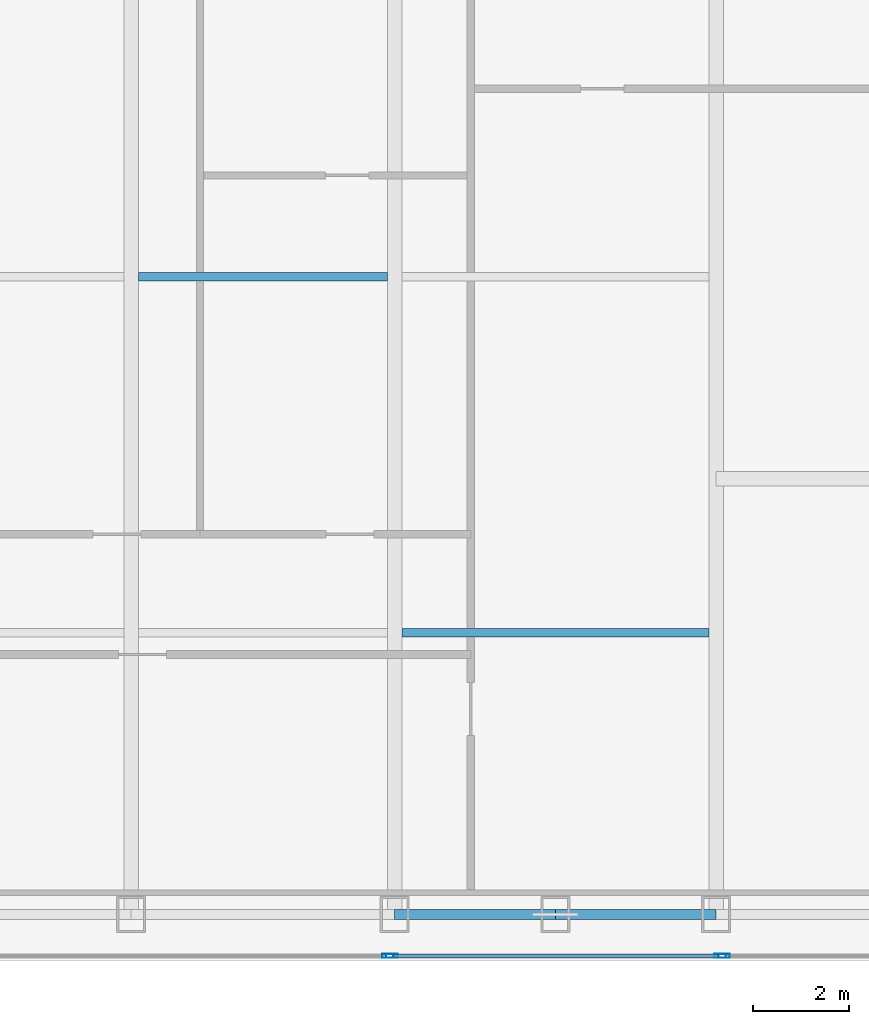
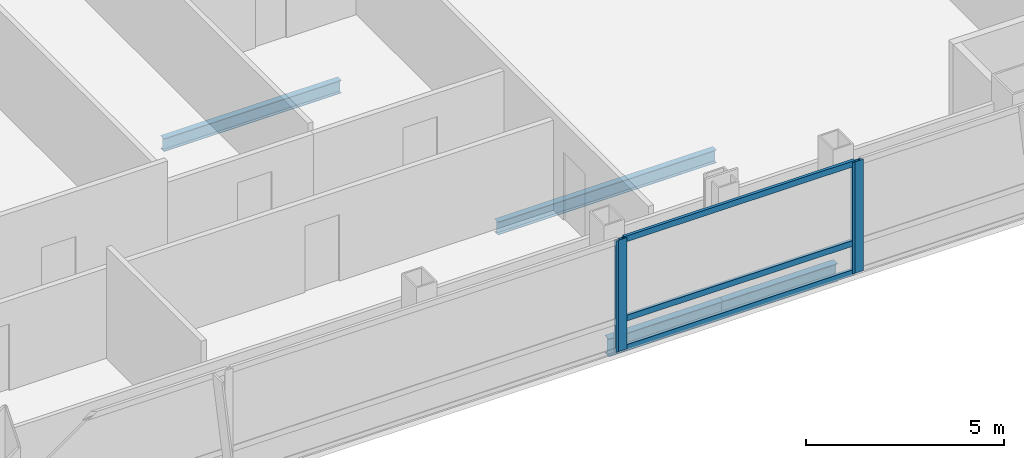
# One storey, part 14 of 30: 7 members, 4 beams, 3 elements without a shape of their own.
"""IFC4 building model written with IfcOpenShell, lengths in metres."""

from ifc_helpers import new_model, si_unit, direction, frame, origin, origin_2d, place, context, subcontext, project, spatial, hollow_rectangle, i_section, extrude, material, material_profile, profile_set, type_object, element, aggregate, save


model = new_model("IFC4")

# Units and contexts
model_context = context("Model", 3, precision=1e-05, world=origin(), true_north=direction((0.0, 1.0)))
body_context = subcontext(model_context, "Body", "Model", "MODEL_VIEW")
ifc_project = project(units=[si_unit("LENGTHUNIT", "METRE"), si_unit("AREAUNIT", "SQUARE_METRE"), si_unit("VOLUMEUNIT", "CUBIC_METRE"), si_unit("PLANEANGLEUNIT", "RADIAN"), si_unit("MASSUNIT", "GRAM", prefix="KILO")], contexts=[model_context])

# Site, building, storey
site_placement = place(None, origin())
site = spatial("IfcSite", under=ifc_project, at=site_placement, CompositionType="ELEMENT")
building_placement = place(site_placement, origin())
building = spatial("IfcBuilding", under=site, at=building_placement, Name="Khoronbel Lancet Exchange", CompositionType="ELEMENT")
storey_placement = place(building_placement, frame((0.0, 0.0, 280.60009765625)))
storey = spatial("IfcBuildingStorey", under=building, at=storey_placement, Name="L72", CompositionType="ELEMENT", Elevation=280.60009765625)

# Beams
ifc_material_1 = material(Name="Steel S355", Category="steel")
ifc_material_profile_1 = material_profile(ifc_material_1, i_section(OverallWidth=0.179931640625, OverallDepth=0.39990234375, WebThickness=0.008544921875, FlangeThickness=0.013427734375, at=origin_2d()), Name="IPE 400")
ifc_profile_set_1 = profile_set([ifc_material_profile_1], Name="Steel S355")
beam_type_1 = type_object("IfcBeamType", Name="BM-BJ5", PredefinedType="JOIST", material=ifc_profile_set_1)
beam_1_placement = place(storey_placement, frame((48.14990234375, 16.0, -0.360107421875), z_axis=(1.0, 0.0, 0.0), x_axis=(0.0, 1.0, 0.0)))
element("IfcBeam", 1, at=beam_1_placement, inside=storey, type_object=beam_type_1, Name="Level L72 secondary composite joist J05", PredefinedType="JOIST", context=body_context, shape_type="SweptSolid", body=[
    extrude(i_section(OverallWidth=0.179931640625, OverallDepth=0.39990234375, WebThickness=0.008544921875, FlangeThickness=0.013427734375, at=origin_2d()), origin(), (0.0, 0.0, 1.0), 6.375),
])
beam_2_placement = place(storey_placement, frame((42.675048828125, 23.39990234375, -0.360107421875), z_axis=(1.0, 0.0, 0.0), x_axis=(0.0, 1.0, 0.0)))
element("IfcBeam", 2, at=beam_2_placement, inside=storey, type_object=beam_type_1, Name="Level L72 secondary composite joist J09", PredefinedType="JOIST", context=body_context, shape_type="SweptSolid", body=[
    extrude(i_section(OverallWidth=0.179931640625, OverallDepth=0.39990234375, WebThickness=0.008544921875, FlangeThickness=0.013427734375, at=origin_2d()), origin(), (0.0, 0.0, 1.0), 5.175048828125),
])
ifc_material_profile_2 = material_profile(ifc_material_1, i_section(OverallWidth=0.2099609375, OverallDepth=0.550048828125, WebThickness=0.010986328125, FlangeThickness=0.01708984375, at=origin_2d()), Name="IPE 550")
ifc_profile_set_2 = profile_set([ifc_material_profile_2], Name="Steel S355")
beam_type_2 = type_object("IfcBeamType", Name="BM-BSP3", PredefinedType="SPANDREL", material=ifc_profile_set_2)
beam_3_placement = place(storey_placement, frame((48.0, 10.14990234375, -0.43505859375), z_axis=(1.0, 0.0, 0.0), x_axis=(0.0, 1.0, 0.0)))
element("IfcBeam", 3, at=beam_3_placement, inside=storey, type_object=beam_type_2, Name="Level L72 perimeter spandrel beam SP07", PredefinedType="SPANDREL", context=body_context, shape_type="SweptSolid", body=[
    extrude(i_section(OverallWidth=0.2099609375, OverallDepth=0.550048828125, WebThickness=0.010986328125, FlangeThickness=0.01708984375, at=origin_2d()), origin(), (0.0, 0.0, 1.0), 3.33740234375),
])
beam_4_placement = place(storey_placement, frame((51.33740234375, 10.14990234375, -0.43505859375), z_axis=(1.0, 0.0, 0.0), x_axis=(0.0, 1.0, 0.0)))
element("IfcBeam", 4, at=beam_4_placement, inside=storey, type_object=beam_type_2, Name="Level L72 perimeter spandrel beam SP08", PredefinedType="SPANDREL", context=body_context, shape_type="SweptSolid", body=[
    extrude(i_section(OverallWidth=0.2099609375, OverallDepth=0.550048828125, WebThickness=0.010986328125, FlangeThickness=0.01708984375, at=origin_2d()), origin(), (0.0, 0.0, 1.0), 3.337646484375),
])

# Curtain wall, member
ifc_material_2 = material(Name="Low-E Solar Control Insulating Glass", Category="glass")
curtain_wall_type = type_object("IfcCurtainWallType", Name="CW-3", PredefinedType="NOTDEFINED", material=ifc_material_2)
curtain_wall_1_placement = place(storey_placement, origin())
curtain_wall_1 = element("IfcCurtainWall", 5, at=curtain_wall_1_placement, inside=storey, type_object=curtain_wall_type, Name="Unitised curtain wall CW-L72-SCV", PredefinedType="NOTDEFINED")
ifc_material_3 = material(Name="Bronze-Anodised Aluminium 6063-T6", Category="aluminium")
ifc_material_profile_3 = material_profile(ifc_material_3, hollow_rectangle(XDim=0.0849609375, YDim=0.239990234375, WallThickness=0.006103515625, at=origin_2d()), Name="ALU MULLION 85x240")
ifc_profile_set_3 = profile_set([ifc_material_profile_3], Name="Bronze-Anodised Aluminium 6063-T6")
member_type_1 = type_object("IfcMemberType", Name="MEM-CWM1", PredefinedType="MULLION", material=ifc_profile_set_3)
member_1_placement = place(storey_placement, frame((47.857421875, 9.2900390625, 0.0), z_axis=(0.0, 0.0, 1.0), x_axis=(0.0, 1.0, 0.0)))
member_1 = element("IfcMember", 6, at=member_1_placement, type_object=member_type_1, Name="CW3 mullion 3", PredefinedType="MULLION", context=body_context, shape_type="SweptSolid", body=[
    extrude(hollow_rectangle(XDim=0.0849609375, YDim=0.239990234375, WallThickness=0.006103515625, at=origin_2d()), origin(), (0.0, 0.0, 1.0), 3.43994140625),
])
aggregate(curtain_wall_1, [member_1])

# Curtain wall, members
curtain_wall_2_placement = place(storey_placement, origin())
curtain_wall_2 = element("IfcCurtainWall", 7, at=curtain_wall_2_placement, inside=storey, type_object=curtain_wall_type, Name="Unitised curtain wall CW-L72-SEB", PredefinedType="NOTDEFINED")
member_2_placement = place(storey_placement, frame((47.9423828125, 9.2900390625, 0.0), z_axis=(0.0, 0.0, 1.0), x_axis=(0.0, 1.0, 0.0)))
member_2 = element("IfcMember", 8, at=member_2_placement, type_object=member_type_1, Name="CW3 mullion 1", PredefinedType="MULLION", context=body_context, shape_type="SweptSolid", body=[
    extrude(hollow_rectangle(XDim=0.0849609375, YDim=0.239990234375, WallThickness=0.006103515625, at=origin_2d()), origin(), (0.0, 0.0, 1.0), 3.43994140625),
])
member_3_placement = place(storey_placement, frame((54.757568359375, 9.2900390625, 0.0), z_axis=(0.0, 0.0, 1.0), x_axis=(0.0, 1.0, 0.0)))
member_3 = element("IfcMember", 9, at=member_3_placement, type_object=member_type_1, Name="CW3 mullion 2", PredefinedType="MULLION", context=body_context, shape_type="SweptSolid", body=[
    extrude(hollow_rectangle(XDim=0.0849609375, YDim=0.239990234375, WallThickness=0.006103515625, at=origin_2d()), origin(), (0.0, 0.0, 1.0), 3.43994140625),
])

# Curtain wall, member
curtain_wall_3_placement = place(storey_placement, origin())
curtain_wall_3 = element("IfcCurtainWall", 10, at=curtain_wall_3_placement, inside=storey, type_object=curtain_wall_type, Name="Unitised curtain wall CW-L72-SEV", PredefinedType="NOTDEFINED")
member_4_placement = place(storey_placement, frame((54.842529296875, 9.2900390625, 0.0), z_axis=(0.0, 0.0, 1.0), x_axis=(0.0, 1.0, 0.0)))
member_4 = element("IfcMember", 11, at=member_4_placement, type_object=member_type_1, Name="CW3 mullion 1", PredefinedType="MULLION", context=body_context, shape_type="SweptSolid", body=[
    extrude(hollow_rectangle(XDim=0.0849609375, YDim=0.239990234375, WallThickness=0.006103515625, at=origin_2d()), origin(), (0.0, 0.0, 1.0), 3.43994140625),
])
aggregate(curtain_wall_3, [member_4])

# Member
ifc_material_profile_4 = material_profile(ifc_material_3, hollow_rectangle(XDim=0.0849609375, YDim=0.179931640625, WallThickness=0.0048828125, at=origin_2d()), Name="ALU TRANSOM 85x180")
ifc_profile_set_4 = profile_set([ifc_material_profile_4], Name="Bronze-Anodised Aluminium 6063-T6")
member_type_2 = type_object("IfcMemberType", Name="MEM-CWT1", PredefinedType="USERDEFINED", material=ifc_profile_set_4)
member_5_placement = place(storey_placement, frame((47.985107421875, 9.2900390625, 0.04248046875), z_axis=(1.0, 0.0, 0.0), x_axis=(0.0, 1.0, 0.0)))
member_5 = element("IfcMember", 12, at=member_5_placement, type_object=member_type_2, Name="CW3 transom 1.1", ObjectType="TRANSOM", PredefinedType="USERDEFINED", context=body_context, shape_type="SweptSolid", body=[
    extrude(hollow_rectangle(XDim=0.0849609375, YDim=0.179931640625, WallThickness=0.0048828125, at=origin_2d()), origin(), (0.0, 0.0, 1.0), 6.72998046875),
])

member_6_placement = place(storey_placement, frame((47.985107421875, 9.2900390625, 0.949951171875), z_axis=(1.0, 0.0, 0.0), x_axis=(0.0, 1.0, 0.0)))
member_6 = element("IfcMember", 13, at=member_6_placement, type_object=member_type_2, Name="CW3 transom 1.2", ObjectType="TRANSOM", PredefinedType="USERDEFINED", context=body_context, shape_type="SweptSolid", body=[
    extrude(hollow_rectangle(XDim=0.0849609375, YDim=0.179931640625, WallThickness=0.0048828125, at=origin_2d()), origin(), (0.0, 0.0, 1.0), 6.72998046875),
])

member_7_placement = place(storey_placement, frame((47.985107421875, 9.2900390625, 3.3974609375), z_axis=(1.0, 0.0, 0.0), x_axis=(0.0, 1.0, 0.0)))
member_7 = element("IfcMember", 14, at=member_7_placement, type_object=member_type_2, Name="CW3 transom 1.3", ObjectType="TRANSOM", PredefinedType="USERDEFINED", context=body_context, shape_type="SweptSolid", body=[
    extrude(hollow_rectangle(XDim=0.0849609375, YDim=0.179931640625, WallThickness=0.0048828125, at=origin_2d()), origin(), (0.0, 0.0, 1.0), 6.72998046875),
])

aggregate(curtain_wall_2, [member_2, member_3, member_5, member_6, member_7])

save(model, "model.ifc")
